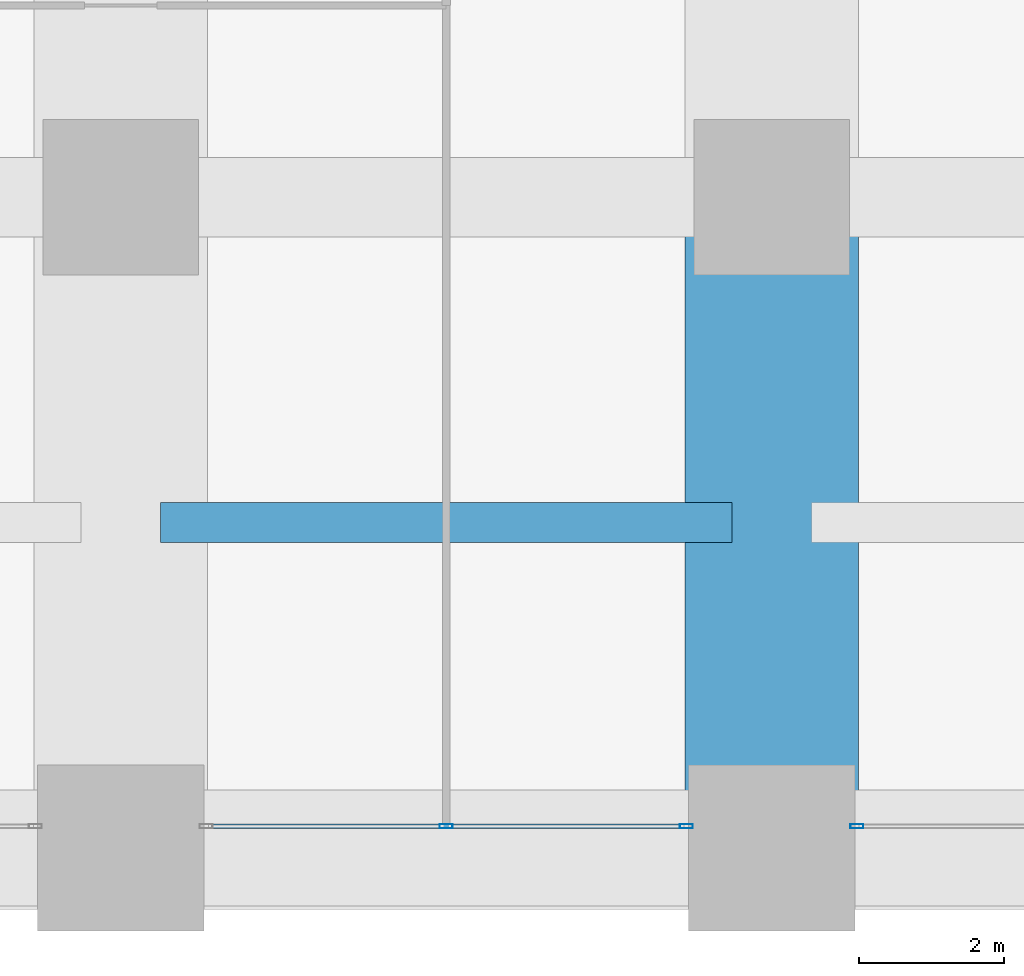
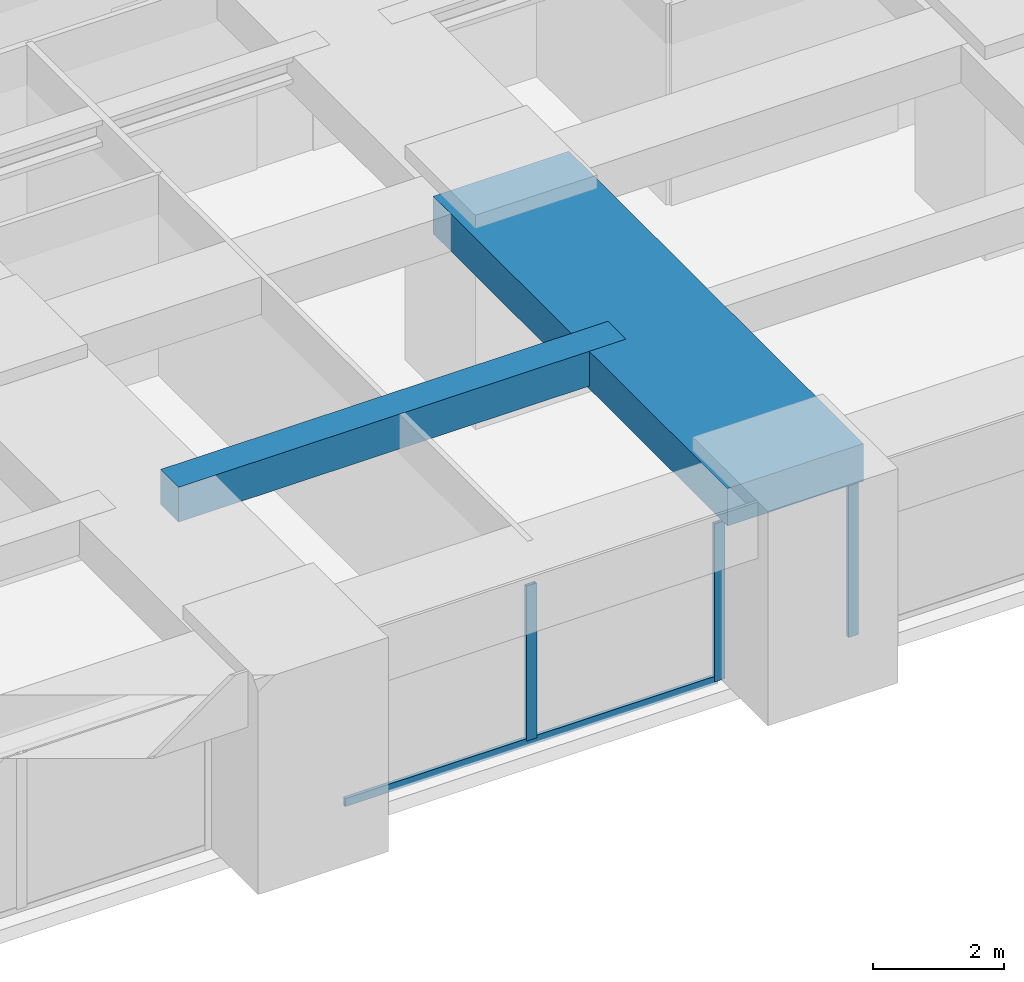
# One storey, part 12 of 43: 4 members, 2 beams, 2 elements without a shape of their own.
"""IFC4 building model written with IfcOpenShell, lengths in metres."""

from ifc_helpers import new_model, si_unit, direction, frame, origin, origin_2d, place, context, subcontext, project, spatial, rectangle, hollow_rectangle, extrude, material, material_profile, profile_set, type_object, element, aggregate, save


model = new_model("IFC4")

# Units and contexts
model_context = context("Model", 3, precision=1e-05, world=origin(), true_north=direction((0.0, 1.0)))
body_context = subcontext(model_context, "Body", "Model", "MODEL_VIEW")
ifc_project = project(units=[si_unit("LENGTHUNIT", "METRE"), si_unit("AREAUNIT", "SQUARE_METRE"), si_unit("VOLUMEUNIT", "CUBIC_METRE"), si_unit("PLANEANGLEUNIT", "RADIAN"), si_unit("MASSUNIT", "GRAM", prefix="KILO")], contexts=[model_context])

# Site, building, storey
site_placement = place(None, origin())
site = spatial("IfcSite", under=ifc_project, at=site_placement, CompositionType="ELEMENT")
building_placement = place(site_placement, origin())
building = spatial("IfcBuilding", under=site, at=building_placement, Name="Zorevar Civic Tower", CompositionType="ELEMENT")
storey_placement = place(building_placement, frame((0.0, 0.0, 67.800048828125)))
storey = spatial("IfcBuildingStorey", under=building, at=storey_placement, Name="L16", CompositionType="ELEMENT", Elevation=67.800048828125)

# Beams
ifc_material_1 = material(Name="Concrete C50/60", Category="concrete")
ifc_material_profile_1 = material_profile(ifc_material_1, rectangle(XDim=2.39990234375, YDim=0.699951171875, at=origin_2d()), Name="RC 2400x700")
ifc_profile_set_1 = profile_set([ifc_material_profile_1], Name="Concrete C50/60")
beam_type_1 = type_object("IfcBeamType", Name="Beam RC 2400x700", PredefinedType="BEAM", material=ifc_profile_set_1)
beam_1_placement = place(storey_placement, frame((36.0, 0.0, 3.39990234375), z_axis=(0.0, 1.0, 0.0), x_axis=(-1.0, 0.0, 0.0)))
element("IfcBeam", 1, at=beam_1_placement, inside=storey, type_object=beam_type_1, Name="Girder L17", PredefinedType="BEAM", context=body_context, shape_type="SweptSolid", body=[
    extrude(rectangle(XDim=2.39990234375, YDim=0.699951171875, at=origin_2d()), origin(), (0.0, 0.0, 1.0), 9.0),
])
ifc_material_2 = material(Name="Concrete C50/60", Category="concrete")
ifc_material_profile_2 = material_profile(ifc_material_2, rectangle(XDim=0.550048828125, YDim=0.64990234375, at=origin_2d()), Name="RC 550x650")
ifc_profile_set_2 = profile_set([ifc_material_profile_2], Name="Concrete C50/60")
beam_type_2 = type_object("IfcBeamType", Name="Beam RC 550x650", PredefinedType="BEAM", material=ifc_profile_set_2)
beam_2_placement = place(storey_placement, frame((27.550048828125, 4.5, 3.425048828125), z_axis=(1.0, 0.0, 0.0), x_axis=(0.0, 1.0, 0.0)))
element("IfcBeam", 2, at=beam_2_placement, inside=storey, type_object=beam_type_2, Name="Secondary beam L17", PredefinedType="BEAM", context=body_context, shape_type="SweptSolid", body=[
    extrude(rectangle(XDim=0.550048828125, YDim=0.64990234375, at=origin_2d()), origin(), (0.0, 0.0, 1.0), 7.89990234375),
])

# Curtain wall, members
ifc_material_3 = material(Name="Dark grey solar-control glass in black aluminium frame", Category="aluminium")
curtain_wall_type = type_object("IfcCurtainWallType", Name="Curtain wall CW2 low zone", PredefinedType="NOTDEFINED", material=ifc_material_3)
curtain_wall_1_placement = place(storey_placement, origin())
curtain_wall_1 = element("IfcCurtainWall", 3, at=curtain_wall_1_placement, inside=storey, type_object=curtain_wall_type, Name="CW2 L16", PredefinedType="NOTDEFINED")
ifc_material_4 = material(Name="Aluminium, black anodised", Category="aluminium")
ifc_material_profile_3 = material_profile(ifc_material_4, hollow_rectangle(XDim=0.06005859375, YDim=0.179931640625, WallThickness=0.00390625, at=origin_2d()), Name="AL 180x60x4")
ifc_profile_set_3 = profile_set([ifc_material_profile_3], Name="Aluminium, black anodised")
member_type_1 = type_object("IfcMemberType", Name="CW2 mullion AL 180x60x4", PredefinedType="MULLION", material=ifc_profile_set_3)
member_1_placement = place(storey_placement, frame((31.5, 0.300048828125, 0.06005859375), z_axis=(0.0, 0.0, 1.0), x_axis=(0.0, 1.0, 0.0)))
member_1 = element("IfcMember", 4, at=member_1_placement, type_object=member_type_1, Name="CW2 mullion 2", PredefinedType="MULLION", context=body_context, shape_type="SweptSolid", body=[
    extrude(hollow_rectangle(XDim=0.06005859375, YDim=0.179931640625, WallThickness=0.00390625, at=origin_2d()), origin(), (0.0, 0.0, 1.0), 2.889892578125),
])
member_2_placement = place(storey_placement, frame((34.820068359375, 0.300048828125, 0.0), z_axis=(0.0, 0.0, 1.0), x_axis=(0.0, 1.0, 0.0)))
member_2 = element("IfcMember", 5, at=member_2_placement, type_object=member_type_1, Name="CW2 mullion 3", PredefinedType="MULLION", context=body_context, shape_type="SweptSolid", body=[
    extrude(hollow_rectangle(XDim=0.06005859375, YDim=0.179931640625, WallThickness=0.00390625, at=origin_2d()), origin(), (0.0, 0.0, 1.0), 2.949951171875),
])

# Curtain wall, member
curtain_wall_2_placement = place(storey_placement, origin())
curtain_wall_2 = element("IfcCurtainWall", 6, at=curtain_wall_2_placement, inside=storey, type_object=curtain_wall_type, Name="CW2 L16", PredefinedType="NOTDEFINED")
member_3_placement = place(storey_placement, frame((37.179931640625, 0.300048828125, 0.0), z_axis=(0.0, 0.0, 1.0), x_axis=(0.0, 1.0, 0.0)))
member_3 = element("IfcMember", 7, at=member_3_placement, type_object=member_type_1, Name="CW2 mullion 1", PredefinedType="MULLION", context=body_context, shape_type="SweptSolid", body=[
    extrude(hollow_rectangle(XDim=0.06005859375, YDim=0.179931640625, WallThickness=0.00390625, at=origin_2d()), origin(), (0.0, 0.0, 1.0), 2.949951171875),
])
aggregate(curtain_wall_2, [member_3])

# Member
ifc_material_5 = material(Name="Aluminium, black anodised", Category="aluminium")
ifc_material_profile_4 = material_profile(ifc_material_5, hollow_rectangle(XDim=0.06005859375, YDim=0.14990234375, WallThickness=0.00390625, at=origin_2d()), Name="AL 150x60x4")
ifc_profile_set_4 = profile_set([ifc_material_profile_4], Name="Aluminium, black anodised")
member_type_2 = type_object("IfcMemberType", Name="CW2 transom AL 150x60x4", PredefinedType="USERDEFINED", material=ifc_profile_set_4)
member_4_placement = place(storey_placement, frame((28.2099609375, 0.300048828125, 0.030029296875), z_axis=(1.0, 0.0, 0.0), x_axis=(0.0, 1.0, 0.0)))
member_4 = element("IfcMember", 8, at=member_4_placement, type_object=member_type_2, Name="CW2 sill transom", ObjectType="TRANSOM", PredefinedType="USERDEFINED", context=body_context, shape_type="SweptSolid", body=[
    extrude(hollow_rectangle(XDim=0.06005859375, YDim=0.14990234375, WallThickness=0.00390625, at=origin_2d()), origin(), (0.0, 0.0, 1.0), 6.580078125),
])

aggregate(curtain_wall_1, [member_1, member_2, member_4])

save(model, "model.ifc")
